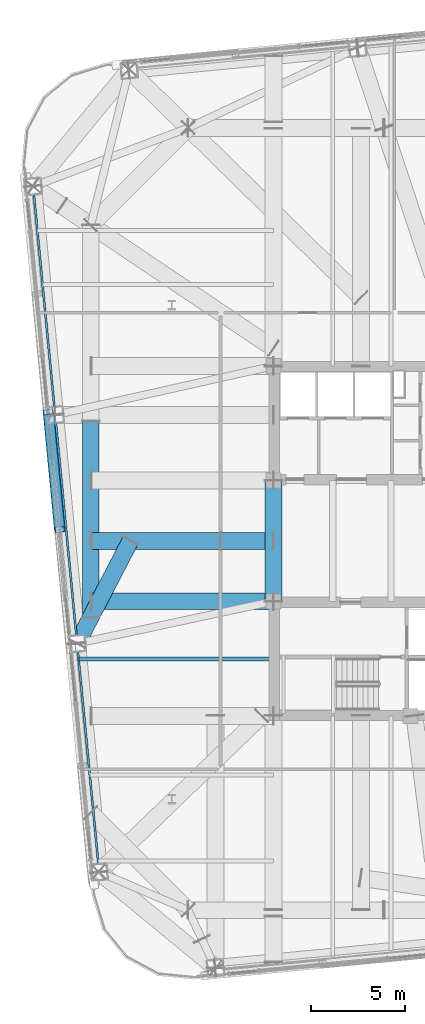
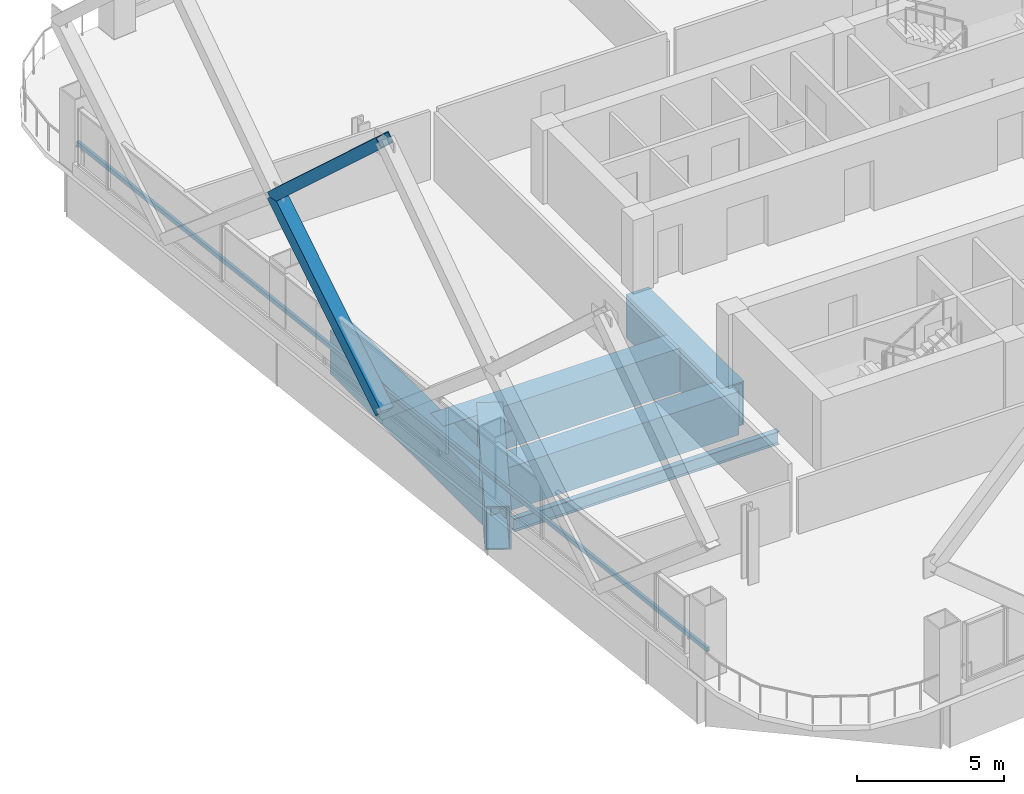
# One storey, part 13 of 42: 6 beams, 3 members.
"""IFC4 building model written with IfcOpenShell, lengths in metres."""

from ifc_helpers import new_model, si_unit, direction, frame, origin, origin_2d, place, context, subcontext, project, spatial, hollow_rectangle, i_section, extrude, material, material_profile, profile_set, type_object, element, save


model = new_model("IFC4")

# Units and contexts
model_context = context("Model", 3, precision=1e-05, world=origin(), true_north=direction((0.0, 1.0)))
body_context = subcontext(model_context, "Body", "Model", "MODEL_VIEW")
ifc_project = project(units=[si_unit("LENGTHUNIT", "METRE"), si_unit("AREAUNIT", "SQUARE_METRE"), si_unit("VOLUMEUNIT", "CUBIC_METRE"), si_unit("PLANEANGLEUNIT", "RADIAN"), si_unit("MASSUNIT", "GRAM", prefix="KILO")], contexts=[model_context])

# Site, building, storey
site_placement = place(None, origin())
site = spatial("IfcSite", under=ifc_project, at=site_placement, CompositionType="ELEMENT")
building_placement = place(site_placement, origin())
building = spatial("IfcBuilding", under=site, at=building_placement, Name="Qhalaya Broadcast Tower", CompositionType="ELEMENT")
storey_placement = place(building_placement, frame((0.0, 0.0, 69.449951171875)))
storey = spatial("IfcBuildingStorey", under=building, at=storey_placement, Name="L19", CompositionType="ELEMENT", Elevation=69.449951171875)

# Beams
ifc_material_1 = material(Name="Structural Steel ASTM A572 Grade 50", Category="steel")
ifc_material_profile_1 = material_profile(ifc_material_1, hollow_rectangle(XDim=0.89990234375, YDim=1.800048828125, WallThickness=0.06005859375, at=origin_2d()), Name="BOX 900x1800x60")
ifc_profile_set_1 = profile_set([ifc_material_profile_1], Name="Structural Steel ASTM A572 Grade 50")
beam_type_1 = type_object("IfcBeamType", Name="Block Cantilever Transfer Box Girder TG1", PredefinedType="USERDEFINED", material=ifc_profile_set_1)
beam_1_placement = place(storey_placement, frame((-19.1298828125, 7.00341796875, -1.119873046875), z_axis=(0.0, -1.0, 0.0), x_axis=(1.0, 0.0, 0.0)))
element("IfcBeam", 1, at=beam_1_placement, inside=storey, type_object=beam_type_1, Name="L19 TG1 L19-TGL-14", ObjectType="GIRDER", PredefinedType="USERDEFINED", context=body_context, shape_type="SweptSolid", body=[
    extrude(hollow_rectangle(XDim=0.89990234375, YDim=1.800048828125, WallThickness=0.06005859375, at=origin_2d()), origin(), (0.0, 0.0, 1.0), 10.466796875),
])
beam_2_placement = place(storey_placement, frame((-19.090087890625, 0.60009765625, -1.119873046875), z_axis=(1.0, 0.0, 0.0), x_axis=(0.0, 1.0, 0.0)))
element("IfcBeam", 2, at=beam_2_placement, inside=storey, type_object=beam_type_1, Name="L19 TG1 L19-TGIYW-1", ObjectType="GIRDER", PredefinedType="USERDEFINED", context=body_context, shape_type="SweptSolid", body=[
    extrude(hollow_rectangle(XDim=0.89990234375, YDim=1.800048828125, WallThickness=0.06005859375, at=origin_2d()), origin(), (0.0, 0.0, 1.0), 9.715087890625),
])
beam_3_placement = place(storey_placement, frame((-9.375, -2.625, -1.119873046875), z_axis=(0.0, 1.0, 0.0), x_axis=(-1.0, 0.0, 0.0)))
element("IfcBeam", 3, at=beam_3_placement, inside=storey, type_object=beam_type_1, Name="L19 TG1 L19-TGIMW-1", ObjectType="GIRDER", PredefinedType="USERDEFINED", context=body_context, shape_type="SweptSolid", body=[
    extrude(hollow_rectangle(XDim=0.89990234375, YDim=1.800048828125, WallThickness=0.06005859375, at=origin_2d()), origin(), (0.0, 0.0, 1.0), 6.449951171875),
])
beam_4_placement = place(storey_placement, frame((-19.090087890625, -2.625, -1.119873046875), z_axis=(1.0, 0.0, 0.0), x_axis=(0.0, 1.0, 0.0)))
element("IfcBeam", 4, at=beam_4_placement, inside=storey, type_object=beam_type_1, Name="L19 TG1 L19-TGIY2W-1", ObjectType="GIRDER", PredefinedType="USERDEFINED", context=body_context, shape_type="SweptSolid", body=[
    extrude(hollow_rectangle(XDim=0.89990234375, YDim=1.800048828125, WallThickness=0.06005859375, at=origin_2d()), origin(), (0.0, 0.0, 1.0), 9.715087890625),
])
beam_5_placement = place(storey_placement, frame((-17.025390625, 0.60009765625, -1.119873046875), z_axis=(-0.459902195726, -0.887969577388, 0.0), x_axis=(0.887969577388, -0.459902195726, 0.0)))
element("IfcBeam", 5, at=beam_5_placement, inside=storey, type_object=beam_type_1, Name="L19 Continuous Cantilever Transfer Box Girder 15", ObjectType="GIRDER", PredefinedType="USERDEFINED", context=body_context, shape_type="SweptSolid", body=[
    extrude(hollow_rectangle(XDim=0.89990234375, YDim=1.800048828125, WallThickness=0.06005859375, at=origin_2d()), origin(), (0.0, 0.0, 1.0), 6.165771484375),
])
ifc_material_2 = material(Name="Structural Steel ASTM A992 Grade 50", Category="steel")
ifc_material_profile_2 = material_profile(ifc_material_2, i_section(OverallWidth=0.2099609375, OverallDepth=0.535888671875, WebThickness=0.010986328125, FlangeThickness=0.017333984375, at=origin_2d()), Name="W21X68")
ifc_profile_set_2 = profile_set([ifc_material_profile_2], Name="Structural Steel ASTM A992 Grade 50")
beam_type_2 = type_object("IfcBeamType", Name="Composite Floor Joist J02", PredefinedType="JOIST", material=ifc_profile_set_2)
beam_6_placement = place(storey_placement, frame((-19.76171875, -5.699951171875, -0.488037109375), z_axis=(1.0, 0.0, 0.0), x_axis=(0.0, 1.0, 0.0)))
element("IfcBeam", 6, at=beam_6_placement, inside=storey, type_object=beam_type_2, Name="L19 J02 L19-JWE3W-1", PredefinedType="JOIST", context=body_context, shape_type="SweptSolid", body=[
    extrude(i_section(OverallWidth=0.2099609375, OverallDepth=0.535888671875, WebThickness=0.010986328125, FlangeThickness=0.017333984375, at=origin_2d()), origin(), (0.0, 0.0, 1.0), 10.38671875),
])

# Members
ifc_material_profile_3 = material_profile(ifc_material_1, hollow_rectangle(XDim=0.419921875, YDim=0.550048828125, WallThickness=0.028076171875, at=origin_2d()), Name="BOX 420x550x28")
ifc_profile_set_3 = profile_set([ifc_material_profile_3], Name="Structural Steel ASTM A572 Grade 50")
member_type_1 = type_object("IfcMemberType", Name="Exoskeleton Diamond Diagonal Mid-Low EX2", PredefinedType="BRACE", material=ifc_profile_set_3)
member_1_placement = place(storey_placement, frame((-20.78759765625, 1.197509765625, 0.360107421875), z_axis=(-0.073037413912, 0.758637209183, 0.647406457345), x_axis=(0.157160868222, -0.632274975342, 0.758636155912)))
element("IfcMember", 7, at=member_1_placement, inside=storey, type_object=member_type_1, Name="B2 Exoskeleton Diamond Brace W2-D1", PredefinedType="BRACE", context=body_context, shape_type="SweptSolid", body=[
    extrude(hollow_rectangle(XDim=0.419921875, YDim=0.550048828125, WallThickness=0.028076171875, at=origin_2d()), origin(), (0.0, 0.0, 1.0), 8.309814453125),
])
member_2_placement = place(storey_placement, frame((-21.39453125, 7.501708984375, 5.739990234375), z_axis=(0.070340028415, -0.730619555004, 0.679151931638), x_axis=(-0.160189075689, 0.663728866417, 0.730618540632)))
element("IfcMember", 8, at=member_2_placement, inside=storey, type_object=member_type_1, Name="B2 Exoskeleton Diamond Brace W2-D3", PredefinedType="BRACE", context=body_context, shape_type="SweptSolid", body=[
    extrude(hollow_rectangle(XDim=0.419921875, YDim=0.550048828125, WallThickness=0.028076171875, at=origin_2d()), origin(), (0.0, 0.0, 1.0), 8.628662109375),
])
ifc_material_3 = material(Name="Fired Architectural Terracotta", Category="masonry")
ifc_material_profile_4 = material_profile(ifc_material_3, hollow_rectangle(XDim=0.110107421875, YDim=0.179931640625, WallThickness=0.01806640625, at=origin_2d()), Name="TB-BAG 110x180x18")
ifc_profile_set_4 = profile_set([ifc_material_profile_4], Name="Fired Architectural Terracotta")
member_type_2 = type_object("IfcMemberType", Name="Fired Terracotta Facade Baguette Member TB1", PredefinedType="USERDEFINED", material=ifc_profile_set_4)
member_3_placement = place(storey_placement, frame((-22.212646484375, 19.54541015625, 0.84912109375), z_axis=(0.095845013007, -0.995396269574, 0.0), x_axis=(0.995396269574, 0.095845013007, 0.0)))
element("IfcMember", 9, at=member_3_placement, inside=storey, type_object=member_type_2, Name="L19 Terracotta Baguette Feature Rail W", ObjectType="BAGUETTE", PredefinedType="USERDEFINED", context=body_context, shape_type="SweptSolid", body=[
    extrude(hollow_rectangle(XDim=0.110107421875, YDim=0.179931640625, WallThickness=0.01806640625, at=origin_2d()), origin(), (0.0, 0.0, 1.0), 36.800048828125),
])

save(model, "model.ifc")
